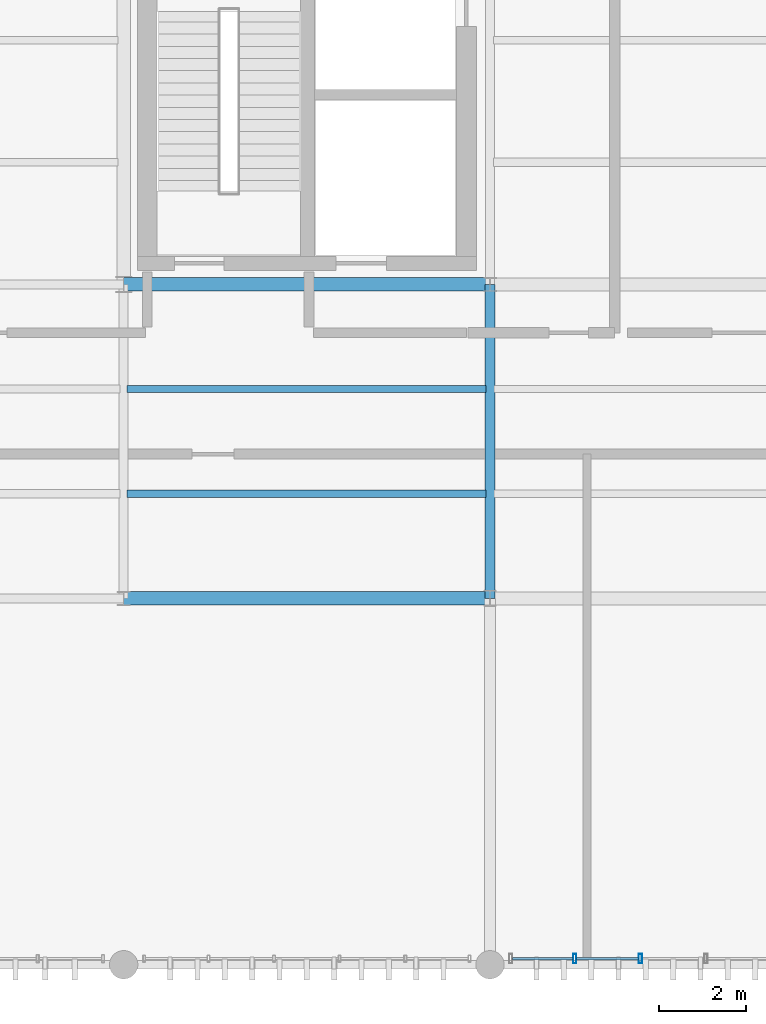
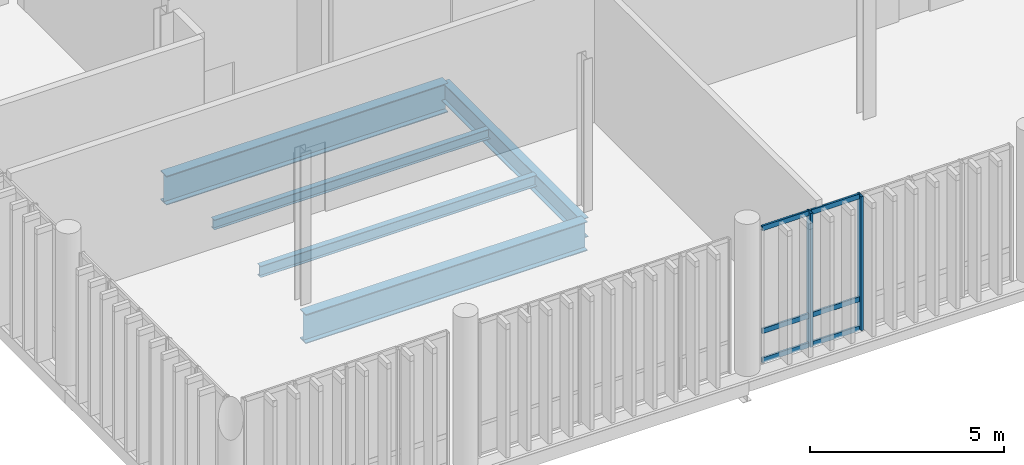
# One storey, part 10 of 86: 8 members, 5 beams, 1 element without a shape of its own.
"""IFC4 building model written with IfcOpenShell, lengths in metres."""

from ifc_helpers import new_model, si_unit, direction, frame, origin_with_axes, origin_2d_with_axis, place, context, subcontext, project, spatial, hollow_rectangle, i_section, extrude, material, material_profile, profile_set, type_object, element, aggregate, save


model = new_model("IFC4")

# Units and contexts
model_context = context("Model", 3, precision=1e-05, world=origin_with_axes(), true_north=direction((0.0, 1.0)))
body_context = subcontext(model_context, "Body", "Model", "MODEL_VIEW")
ifc_project = project(units=[si_unit("LENGTHUNIT", "METRE"), si_unit("AREAUNIT", "SQUARE_METRE"), si_unit("VOLUMEUNIT", "CUBIC_METRE"), si_unit("PLANEANGLEUNIT", "RADIAN"), si_unit("MASSUNIT", "GRAM", prefix="KILO"), si_unit("THERMODYNAMICTEMPERATUREUNIT", "KELVIN")], contexts=[model_context])

# Site, building, storey
site_placement = place(None, origin_with_axes())
site = spatial("IfcSite", under=ifc_project, at=site_placement, CompositionType="ELEMENT")
building_placement = place(site_placement, origin_with_axes())
building = spatial("IfcBuilding", under=site, at=building_placement, Name="Montbau Bow Law Courts", CompositionType="ELEMENT")
storey_placement = place(building_placement, frame((0.0, 0.0, 29.7), z_axis=(0.0, 0.0, 1.0), x_axis=(1.0, 0.0, 0.0)))
storey = spatial("IfcBuildingStorey", under=building, at=storey_placement, Name="L06", CompositionType="ELEMENT", Elevation=29.7)

# Beams
ifc_material_1 = material(Name="Steel CSA G40.21 Grade 350W (350 MPa)", Category="steel")
ifc_material_profile_1 = material_profile(ifc_material_1, i_section(OverallWidth=0.306, OverallDepth=0.919, WebThickness=0.0173, FlangeThickness=0.0279, at=origin_2d_with_axis()), Name="W920X253", Category="Main", Priority=0)
ifc_profile_set_1 = profile_set([ifc_material_profile_1], Name="Steel CSA G40.21 Grade 350W (350 MPa)")
beam_type_1 = type_object("IfcBeamType", Name="B-FLR-01", PredefinedType="BEAM", material=ifc_profile_set_1)
for number, where, z_axis, x_axis, name in (
    (1, (13.8, 39.0, 28.901), (1.0, 0.0, 0.0), (0.0, 1.0, 0.0), "BM-L06-S0672:bm2_0675"),
    (2, (13.8, 46.2, 28.901), (1.0, 0.0, 0.0), (0.0, 1.0, 0.0), "BM-L06-S0677:bm2_0680"),
):
    element("IfcBeam", number, at=place(None, frame(where, z_axis=z_axis, x_axis=x_axis)), inside=storey, type_object=beam_type_1, Name=name, PredefinedType="BEAM", context=body_context, shape_type="SweptSolid", body=[
        extrude(i_section(OverallWidth=0.306, OverallDepth=0.919, WebThickness=0.0173, FlangeThickness=0.0279, at=origin_2d_with_axis()), origin_with_axes(), (0.0, 0.0, 1.0), 8.4),
    ])
ifc_material_profile_2 = material_profile(ifc_material_1, i_section(OverallWidth=0.229, OverallDepth=0.612, WebThickness=0.0119, FlangeThickness=0.0196, at=origin_2d_with_axis()), Name="W610X125", Category="Main", Priority=0)
ifc_profile_set_2 = profile_set([ifc_material_profile_2], Name="Steel CSA G40.21 Grade 350W (350 MPa)")
beam_type_2 = type_object("IfcBeamType", Name="B-FLR-05", PredefinedType="BEAM", material=ifc_profile_set_2)
beam_1_placement = place(None, frame((22.2, 39.0, 29.054), z_axis=(0.0, 1.0, 0.0), x_axis=(-1.0, 0.0, 0.0)))
element("IfcBeam", 3, at=beam_1_placement, inside=storey, type_object=beam_type_2, Name="BM-L06-S0699:bm2_0702", PredefinedType="BEAM", context=body_context, shape_type="SweptSolid", body=[
    extrude(i_section(OverallWidth=0.229, OverallDepth=0.612, WebThickness=0.0119, FlangeThickness=0.0196, at=origin_2d_with_axis()), origin_with_axes(), (0.0, 0.0, 1.0), 7.2),
])
ifc_material_profile_3 = material_profile(ifc_material_1, i_section(OverallWidth=0.172, OverallDepth=0.358, WebThickness=0.0079, FlangeThickness=0.0131, at=origin_2d_with_axis()), Name="W360X57", Category="Main", Priority=0)
ifc_profile_set_3 = profile_set([ifc_material_profile_3], Name="Steel CSA G40.21 Grade 350W (350 MPa)")
beam_type_3 = type_object("IfcBeamType", Name="B-JST-03", PredefinedType="JOIST", material=ifc_profile_set_3)
beam_2_placement = place(None, frame((13.881, 41.4, 29.181), z_axis=(1.0, 0.0, 0.0), x_axis=(0.0, 1.0, 0.0)))
element("IfcBeam", 4, at=beam_2_placement, inside=storey, type_object=beam_type_3, Name="JST-L06-S0338:jst2_0338", PredefinedType="JOIST", context=body_context, shape_type="SweptSolid", body=[
    extrude(i_section(OverallWidth=0.172, OverallDepth=0.358, WebThickness=0.0079, FlangeThickness=0.0131, at=origin_2d_with_axis()), origin_with_axes(), (0.0, 0.0, 1.0), 8.229),
])
ifc_material_profile_4 = material_profile(ifc_material_1, i_section(OverallWidth=0.166, OverallDepth=0.313, WebThickness=0.0066, FlangeThickness=0.0112, at=origin_2d_with_axis()), Name="W310X45", Category="Main", Priority=0)
ifc_profile_set_4 = profile_set([ifc_material_profile_4], Name="Steel CSA G40.21 Grade 350W (350 MPa)")
beam_type_4 = type_object("IfcBeamType", Name="B-JST-04", PredefinedType="JOIST", material=ifc_profile_set_4)
beam_3_placement = place(None, frame((13.881, 43.8, 29.203), z_axis=(1.0, 0.0, 0.0), x_axis=(0.0, 1.0, 0.0)))
element("IfcBeam", 5, at=beam_3_placement, inside=storey, type_object=beam_type_4, Name="JST-L06-S0339:jst2_0339", PredefinedType="JOIST", context=body_context, shape_type="SweptSolid", body=[
    extrude(i_section(OverallWidth=0.166, OverallDepth=0.313, WebThickness=0.0066, FlangeThickness=0.0112, at=origin_2d_with_axis()), origin_with_axes(), (0.0, 0.0, 1.0), 8.229),
])

# Curtain wall, members
ifc_material_2 = material(Name="Thermally Broken Extruded Aluminium AA 6063-T6", Category="aluminium")
curtain_wall_type = type_object("IfcCurtainWallType", Name="CW-TRC-02", PredefinedType="NOTDEFINED", material=ifc_material_2)
curtain_wall_placement = place(None, frame((22.64, 30.74, 29.7), z_axis=(0.0, 0.0, 1.0), x_axis=(1.0, 0.0, 0.0)))
curtain_wall = element("IfcCurtainWall", 6, at=curtain_wall_placement, inside=storey, type_object=curtain_wall_type, Name="CW-L06-096:cw_0096", PredefinedType="NOTDEFINED")
ifc_material_profile_5 = material_profile(ifc_material_2, hollow_rectangle(XDim=0.075, YDim=0.22, WallThickness=0.005, InnerFilletRadius=0.01, OuterFilletRadius=0.005, at=origin_2d_with_axis()), Name="CWM-220X75", Category="Main", Priority=0)
ifc_profile_set_5 = profile_set([ifc_material_profile_5], Name="Thermally Broken Extruded Aluminium AA 6063-T6")
member_type_1 = type_object("IfcMemberType", Name="M-MUL-01", PredefinedType="MULLION", material=ifc_profile_set_5)
member_1_placement = place(None, frame((24.144, 30.74, 29.7), z_axis=(0.0, 0.0, 1.0), x_axis=(1.0, 0.0, 0.0)))
member_1 = element("IfcMember", 7, at=member_1_placement, type_object=member_type_1, Name="CW-L06-096-M02:cw_0096_M02", PredefinedType="MULLION", context=body_context, shape_type="SweptSolid", body=[
    extrude(hollow_rectangle(XDim=0.075, YDim=0.22, WallThickness=0.005, InnerFilletRadius=0.01, OuterFilletRadius=0.005, at=origin_2d_with_axis()), origin_with_axes(), (0.0, 0.0, 1.0), 4.22),
])
member_2_placement = place(None, frame((25.648, 30.74, 29.7), z_axis=(0.0, 0.0, 1.0), x_axis=(1.0, 0.0, 0.0)))
member_2 = element("IfcMember", 8, at=member_2_placement, type_object=member_type_1, Name="CW-L06-096-M03:cw_0096_M03", PredefinedType="MULLION", context=body_context, shape_type="SweptSolid", body=[
    extrude(hollow_rectangle(XDim=0.075, YDim=0.22, WallThickness=0.005, InnerFilletRadius=0.01, OuterFilletRadius=0.005, at=origin_2d_with_axis()), origin_with_axes(), (0.0, 0.0, 1.0), 4.22),
])
ifc_material_profile_6 = material_profile(ifc_material_2, hollow_rectangle(XDim=0.06, YDim=0.16, WallThickness=0.004, InnerFilletRadius=0.008, OuterFilletRadius=0.004, at=origin_2d_with_axis()), Name="CWT-160X60", Category="Main", Priority=0)
ifc_profile_set_6 = profile_set([ifc_material_profile_6], Name="Thermally Broken Extruded Aluminium AA 6063-T6")
member_type_2 = type_object("IfcMemberType", Name="M-TRN-01", PredefinedType="USERDEFINED", material=ifc_profile_set_6)
member_3_placement = place(None, frame((22.716, 30.74, 29.73), z_axis=(1.0, 0.0, 0.0), x_axis=(0.0, 1.0, 0.0)))
member_3 = element("IfcMember", 9, at=member_3_placement, type_object=member_type_2, Name="CW-L06-096-T01-1:cw_0096_T01_1", ObjectType="TRANSOM", PredefinedType="USERDEFINED", context=body_context, shape_type="SweptSolid", body=[
    extrude(hollow_rectangle(XDim=0.06, YDim=0.16, WallThickness=0.004, InnerFilletRadius=0.008, OuterFilletRadius=0.004, at=origin_2d_with_axis()), origin_with_axes(), (0.0, 0.0, 1.0), 1.388),
])
member_4_placement = place(None, frame((22.716, 30.74, 30.65), z_axis=(1.0, 0.0, 0.0), x_axis=(0.0, 1.0, 0.0)))
member_4 = element("IfcMember", 10, at=member_4_placement, type_object=member_type_2, Name="CW-L06-096-T01-2:cw_0096_T01_2", ObjectType="TRANSOM", PredefinedType="USERDEFINED", context=body_context, shape_type="SweptSolid", body=[
    extrude(hollow_rectangle(XDim=0.06, YDim=0.16, WallThickness=0.004, InnerFilletRadius=0.008, OuterFilletRadius=0.004, at=origin_2d_with_axis()), origin_with_axes(), (0.0, 0.0, 1.0), 1.388),
])
member_5_placement = place(None, frame((22.716, 30.74, 33.89), z_axis=(1.0, 0.0, 0.0), x_axis=(0.0, 1.0, 0.0)))
member_5 = element("IfcMember", 11, at=member_5_placement, type_object=member_type_2, Name="CW-L06-096-T01-3:cw_0096_T01_3", ObjectType="TRANSOM", PredefinedType="USERDEFINED", context=body_context, shape_type="SweptSolid", body=[
    extrude(hollow_rectangle(XDim=0.06, YDim=0.16, WallThickness=0.004, InnerFilletRadius=0.008, OuterFilletRadius=0.004, at=origin_2d_with_axis()), origin_with_axes(), (0.0, 0.0, 1.0), 1.388),
])
member_6_placement = place(None, frame((24.184, 30.74, 29.73), z_axis=(1.0, 0.0, 0.0), x_axis=(0.0, 1.0, 0.0)))
member_6 = element("IfcMember", 12, at=member_6_placement, type_object=member_type_2, Name="CW-L06-096-T02-1:cw_0096_T02_1", ObjectType="TRANSOM", PredefinedType="USERDEFINED", context=body_context, shape_type="SweptSolid", body=[
    extrude(hollow_rectangle(XDim=0.06, YDim=0.16, WallThickness=0.004, InnerFilletRadius=0.008, OuterFilletRadius=0.004, at=origin_2d_with_axis()), origin_with_axes(), (0.0, 0.0, 1.0), 1.425),
])
member_7_placement = place(None, frame((24.184, 30.74, 30.65), z_axis=(1.0, 0.0, 0.0), x_axis=(0.0, 1.0, 0.0)))
member_7 = element("IfcMember", 13, at=member_7_placement, type_object=member_type_2, Name="CW-L06-096-T02-2:cw_0096_T02_2", ObjectType="TRANSOM", PredefinedType="USERDEFINED", context=body_context, shape_type="SweptSolid", body=[
    extrude(hollow_rectangle(XDim=0.06, YDim=0.16, WallThickness=0.004, InnerFilletRadius=0.008, OuterFilletRadius=0.004, at=origin_2d_with_axis()), origin_with_axes(), (0.0, 0.0, 1.0), 1.425),
])
member_8_placement = place(None, frame((24.184, 30.74, 33.89), z_axis=(1.0, 0.0, 0.0), x_axis=(0.0, 1.0, 0.0)))
member_8 = element("IfcMember", 14, at=member_8_placement, type_object=member_type_2, Name="CW-L06-096-T02-3:cw_0096_T02_3", ObjectType="TRANSOM", PredefinedType="USERDEFINED", context=body_context, shape_type="SweptSolid", body=[
    extrude(hollow_rectangle(XDim=0.06, YDim=0.16, WallThickness=0.004, InnerFilletRadius=0.008, OuterFilletRadius=0.004, at=origin_2d_with_axis()), origin_with_axes(), (0.0, 0.0, 1.0), 1.425),
])
aggregate(curtain_wall, [member_1, member_2, member_3, member_4, member_5, member_6, member_7, member_8])

save(model, "model.ifc")
